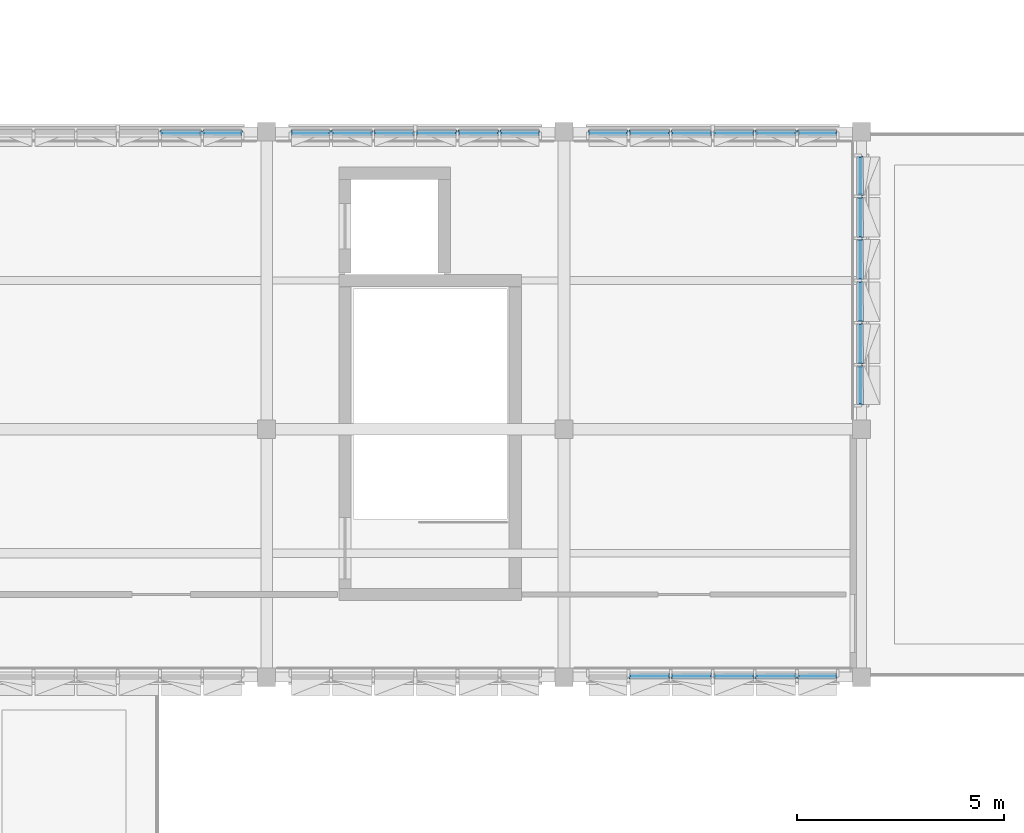
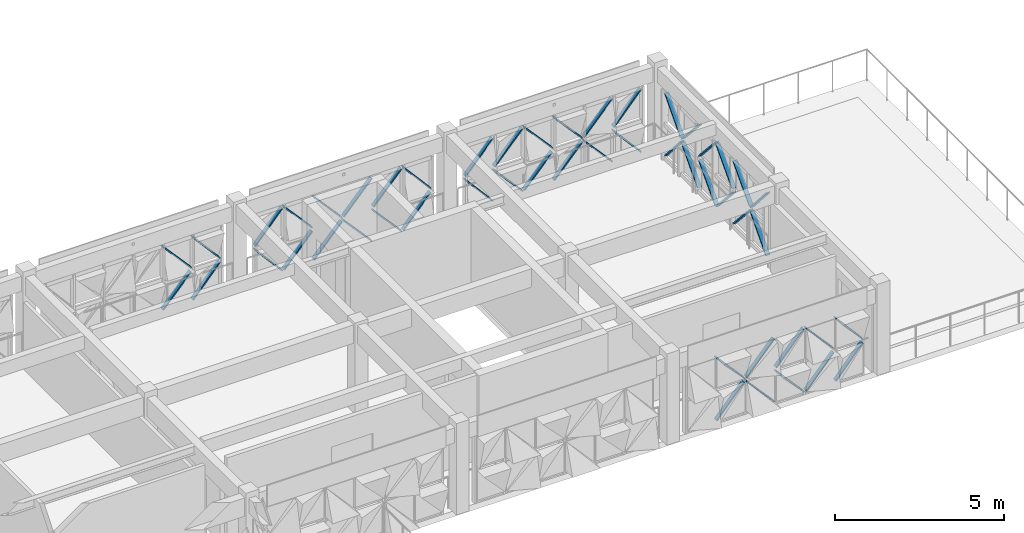
# One storey, part 24 of 35: 50 discrete accessories.
"""IFC4 building model written with IfcOpenShell, lengths in metres."""

from ifc_helpers import new_model, si_unit, direction, frame, origin, origin_2d, place, context, subcontext, project, spatial, rectangle, extrude, material, type_object, element, save


model = new_model("IFC4")

# Units and contexts
model_context = context("Model", 3, precision=1e-05, world=origin(), true_north=direction((0.0, 1.0)))
body_context = subcontext(model_context, "Body", "Model", "MODEL_VIEW")
ifc_project = project(units=[si_unit("LENGTHUNIT", "METRE"), si_unit("AREAUNIT", "SQUARE_METRE"), si_unit("VOLUMEUNIT", "CUBIC_METRE"), si_unit("PLANEANGLEUNIT", "RADIAN"), si_unit("MASSUNIT", "GRAM", prefix="KILO")], contexts=[model_context])

# Site, building, storey
site_placement = place(None, origin())
site = spatial("IfcSite", under=ifc_project, at=site_placement, CompositionType="ELEMENT")
building_placement = place(site_placement, origin())
building = spatial("IfcBuilding", under=site, at=building_placement, Name="Alvorim Cloister Faculty of Sciences", CompositionType="ELEMENT")
storey_placement = place(building_placement, frame((0.0, 0.0, 22.949951171875)))
storey = spatial("IfcBuildingStorey", under=building, at=storey_placement, Name="L06", CompositionType="ELEMENT", Elevation=22.949951171875)

# Discrete accessories
ifc_material = material(Name="Aluminium Alloy 6063-T6", Category="aluminium")
discrete_accessory_type = type_object("IfcDiscreteAccessoryType", Name="ACC-DIAG-BAR", PredefinedType="BRACKET", material=ifc_material)
discrete_accessory_1_placement = place(storey_placement, frame((33.452392578125, 56.37744140625, 0.14013671875), z_axis=(0.66764611748, -0.006997313603, 0.744445900933), x_axis=(0.010479997039, 0.999945083323, 0.0)))
element("IfcDiscreteAccessory", 1, at=discrete_accessory_1_placement, inside=storey, type_object=discrete_accessory_type, Name="Diagonal Cassette Glazing Bracket ACC-02726", PredefinedType="BRACKET", context=body_context, shape_type="SweptSolid", body=[
    extrude(rectangle(XDim=0.139892578125, YDim=0.044921875, at=origin_2d()), origin(), (0.0, 0.0, 1.0), 1.430419921875),
])
discrete_accessory_2_placement = place(storey_placement, frame((33.452392578125, 56.37744140625, 2.41015625), z_axis=(0.667561298321, -0.00699642465, -0.744521969472), x_axis=(0.010479997039, 0.999945083323, 0.0)))
element("IfcDiscreteAccessory", 2, at=discrete_accessory_2_placement, inside=storey, type_object=discrete_accessory_type, Name="Diagonal Cassette Glazing Bracket ACC-02727", PredefinedType="BRACKET", context=body_context, shape_type="SweptSolid", body=[
    extrude(rectangle(XDim=0.139892578125, YDim=0.044921875, at=origin_2d()), origin(), (0.0, 0.0, 1.0), 1.4306640625),
])
discrete_accessory_3_placement = place(storey_placement, frame((34.472412109375, 56.37744140625, 0.14013671875), z_axis=(0.654775475811, -0.007103941389, 0.755790057022), x_axis=(0.010848792579, 0.999941150118, 0.0)))
element("IfcDiscreteAccessory", 3, at=discrete_accessory_3_placement, inside=storey, type_object=discrete_accessory_type, Name="Diagonal Cassette Glazing Bracket ACC-02728", PredefinedType="BRACKET", context=body_context, shape_type="SweptSolid", body=[
    extrude(rectangle(XDim=0.139892578125, YDim=0.044921875, at=origin_2d()), origin(), (0.0, 0.0, 1.0), 1.408935546875),
])
discrete_accessory_4_placement = place(storey_placement, frame((34.472412109375, 56.37744140625, 2.41015625), z_axis=(0.654689737769, -0.00710301118, -0.755864336037), x_axis=(0.010848792579, 0.999941150118, 0.0)))
element("IfcDiscreteAccessory", 4, at=discrete_accessory_4_placement, inside=storey, type_object=discrete_accessory_type, Name="Diagonal Cassette Glazing Bracket ACC-02729", PredefinedType="BRACKET", context=body_context, shape_type="SweptSolid", body=[
    extrude(rectangle(XDim=0.139892578125, YDim=0.044921875, at=origin_2d()), origin(), (0.0, 0.0, 1.0), 1.4091796875),
])
discrete_accessory_5_placement = place(storey_placement, frame((36.60498046875, 56.37744140625, 1.205078125), z_axis=(0.654775475811, -0.007103941389, -0.755790057022), x_axis=(0.010848792579, 0.999941150118, 0.0)))
element("IfcDiscreteAccessory", 5, at=discrete_accessory_5_placement, inside=storey, type_object=discrete_accessory_type, Name="Diagonal Cassette Glazing Bracket ACC-02731", PredefinedType="BRACKET", context=body_context, shape_type="SweptSolid", body=[
    extrude(rectangle(XDim=0.139892578125, YDim=0.044921875, at=origin_2d()), origin(), (0.0, 0.0, 1.0), 1.408935546875),
])
discrete_accessory_6_placement = place(storey_placement, frame((36.60498046875, 56.37744140625, 1.344970703125), z_axis=(0.654689737769, -0.00710301118, 0.755864336037), x_axis=(0.010848792579, 0.999941150118, 0.0)))
element("IfcDiscreteAccessory", 6, at=discrete_accessory_6_placement, inside=storey, type_object=discrete_accessory_type, Name="Diagonal Cassette Glazing Bracket ACC-02732", PredefinedType="BRACKET", context=body_context, shape_type="SweptSolid", body=[
    extrude(rectangle(XDim=0.139892578125, YDim=0.044921875, at=origin_2d()), origin(), (0.0, 0.0, 1.0), 1.4091796875),
])
discrete_accessory_7_placement = place(storey_placement, frame((37.592529296875, 56.37744140625, 0.14013671875), z_axis=(0.66764611748, -0.006997313603, 0.744445900933), x_axis=(0.010479997039, 0.999945083323, 0.0)))
element("IfcDiscreteAccessory", 7, at=discrete_accessory_7_placement, inside=storey, type_object=discrete_accessory_type, Name="Diagonal Cassette Glazing Bracket ACC-02733", PredefinedType="BRACKET", context=body_context, shape_type="SweptSolid", body=[
    extrude(rectangle(XDim=0.139892578125, YDim=0.044921875, at=origin_2d()), origin(), (0.0, 0.0, 1.0), 1.430419921875),
])
discrete_accessory_8_placement = place(storey_placement, frame((37.592529296875, 56.37744140625, 2.41015625), z_axis=(0.667561298321, -0.00699642465, -0.744521969472), x_axis=(0.010479997039, 0.999945083323, 0.0)))
element("IfcDiscreteAccessory", 8, at=discrete_accessory_8_placement, inside=storey, type_object=discrete_accessory_type, Name="Diagonal Cassette Glazing Bracket ACC-02734", PredefinedType="BRACKET", context=body_context, shape_type="SweptSolid", body=[
    extrude(rectangle(XDim=0.139892578125, YDim=0.044921875, at=origin_2d()), origin(), (0.0, 0.0, 1.0), 1.4306640625),
])
for number, where, z_axis, x_axis, name in (
    (9, (38.612548828125, 56.37744140625, 0.14013671875), (0.667551509806, -0.006998110944, 0.744530730191), (0.010482676365, 0.999945055239, 0.0), "Diagonal Cassette Glazing Bracket ACC-02735"),
    (10, (38.612548828125, 56.37744140625, 2.41015625), (0.667466683341, -0.006997221687, -0.744606785839), (0.010482676365, 0.999945055239, 0.0), "Diagonal Cassette Glazing Bracket ACC-02736"),
    (11, (39.632568359375, 56.37744140625, 1.205078125), (0.667551509806, -0.006998110944, -0.744530730191), (0.010482676365, 0.999945055239, 0.0), "Diagonal Cassette Glazing Bracket ACC-02737"),
    (12, (39.632568359375, 56.37744140625, 1.344970703125), (0.667466683341, -0.006997221687, 0.744606785839), (0.010482676365, 0.999945055239, 0.0), "Diagonal Cassette Glazing Bracket ACC-02738"),
    (13, (40.652587890625, 56.37744140625, 1.205078125), (0.667551509806, -0.006998110944, -0.744530730191), (0.010482676365, 0.999945055239, 0.0), "Diagonal Cassette Glazing Bracket ACC-02739"),
    (14, (40.652587890625, 56.37744140625, 1.344970703125), (0.667466683341, -0.006997221687, 0.744606785839), (0.010482676365, 0.999945055239, 0.0), "Diagonal Cassette Glazing Bracket ACC-02740"),
):
    element("IfcDiscreteAccessory", number, at=place(storey_placement, frame(where, z_axis=z_axis, x_axis=x_axis)), inside=storey, type_object=discrete_accessory_type, Name=name, PredefinedType="BRACKET", context=body_context, shape_type="SweptSolid", body=[
        extrude(rectangle(XDim=0.139892578125, YDim=0.044921875, at=origin_2d()), origin(), (0.0, 0.0, 1.0), 1.430419921875),
    ])
discrete_accessory_9_placement = place(storey_placement, frame((41.672607421875, 56.37744140625, 0.14013671875), z_axis=(0.654676476964, -0.007104747368, 0.755875805325), x_axis=(0.010851663811, 0.999941118963, 0.0)))
element("IfcDiscreteAccessory", 15, at=discrete_accessory_9_placement, inside=storey, type_object=discrete_accessory_type, Name="Diagonal Cassette Glazing Bracket ACC-02741", PredefinedType="BRACKET", context=body_context, shape_type="SweptSolid", body=[
    extrude(rectangle(XDim=0.139892578125, YDim=0.044921875, at=origin_2d()), origin(), (0.0, 0.0, 1.0), 1.408935546875),
])
discrete_accessory_10_placement = place(storey_placement, frame((41.672607421875, 56.37744140625, 2.41015625), z_axis=(0.654590732436, -0.007103816842, -0.755950070306), x_axis=(0.010851663811, 0.999941118963, 0.0)))
element("IfcDiscreteAccessory", 16, at=discrete_accessory_10_placement, inside=storey, type_object=discrete_accessory_type, Name="Diagonal Cassette Glazing Bracket ACC-02742", PredefinedType="BRACKET", context=body_context, shape_type="SweptSolid", body=[
    extrude(rectangle(XDim=0.139892578125, YDim=0.044921875, at=origin_2d()), origin(), (0.0, 0.0, 1.0), 1.4091796875),
])
discrete_accessory_11_placement = place(storey_placement, frame((43.804931640625, 56.37744140625, 1.205078125), z_axis=(0.654775475811, -0.007103941389, -0.755790057022), x_axis=(0.010848792579, 0.999941150118, 0.0)))
element("IfcDiscreteAccessory", 17, at=discrete_accessory_11_placement, inside=storey, type_object=discrete_accessory_type, Name="Diagonal Cassette Glazing Bracket ACC-02744", PredefinedType="BRACKET", context=body_context, shape_type="SweptSolid", body=[
    extrude(rectangle(XDim=0.139892578125, YDim=0.044921875, at=origin_2d()), origin(), (0.0, 0.0, 1.0), 1.408935546875),
])
discrete_accessory_12_placement = place(storey_placement, frame((43.804931640625, 56.37744140625, 1.344970703125), z_axis=(0.654689737769, -0.00710301118, 0.755864336037), x_axis=(0.010848792579, 0.999941150118, 0.0)))
element("IfcDiscreteAccessory", 18, at=discrete_accessory_12_placement, inside=storey, type_object=discrete_accessory_type, Name="Diagonal Cassette Glazing Bracket ACC-02745", PredefinedType="BRACKET", context=body_context, shape_type="SweptSolid", body=[
    extrude(rectangle(XDim=0.139892578125, YDim=0.044921875, at=origin_2d()), origin(), (0.0, 0.0, 1.0), 1.4091796875),
])
discrete_accessory_13_placement = place(storey_placement, frame((44.79248046875, 56.37744140625, 1.205078125), z_axis=(0.66764611748, -0.006997313603, -0.744445900933), x_axis=(0.010479997039, 0.999945083323, 0.0)))
element("IfcDiscreteAccessory", 19, at=discrete_accessory_13_placement, inside=storey, type_object=discrete_accessory_type, Name="Diagonal Cassette Glazing Bracket ACC-02746", PredefinedType="BRACKET", context=body_context, shape_type="SweptSolid", body=[
    extrude(rectangle(XDim=0.139892578125, YDim=0.044921875, at=origin_2d()), origin(), (0.0, 0.0, 1.0), 1.430419921875),
])
discrete_accessory_14_placement = place(storey_placement, frame((44.79248046875, 56.37744140625, 1.344970703125), z_axis=(0.667561298321, -0.00699642465, 0.744521969472), x_axis=(0.010479997039, 0.999945083323, 0.0)))
element("IfcDiscreteAccessory", 20, at=discrete_accessory_14_placement, inside=storey, type_object=discrete_accessory_type, Name="Diagonal Cassette Glazing Bracket ACC-02747", PredefinedType="BRACKET", context=body_context, shape_type="SweptSolid", body=[
    extrude(rectangle(XDim=0.139892578125, YDim=0.044921875, at=origin_2d()), origin(), (0.0, 0.0, 1.0), 1.4306640625),
])
discrete_accessory_15_placement = place(storey_placement, frame((45.8125, 56.37744140625, 0.14013671875), z_axis=(0.66764611748, -0.006997313603, 0.744445900933), x_axis=(0.010479997039, 0.999945083323, 0.0)))
element("IfcDiscreteAccessory", 21, at=discrete_accessory_15_placement, inside=storey, type_object=discrete_accessory_type, Name="Diagonal Cassette Glazing Bracket ACC-02748", PredefinedType="BRACKET", context=body_context, shape_type="SweptSolid", body=[
    extrude(rectangle(XDim=0.139892578125, YDim=0.044921875, at=origin_2d()), origin(), (0.0, 0.0, 1.0), 1.430419921875),
])
discrete_accessory_16_placement = place(storey_placement, frame((45.8125, 56.37744140625, 2.41015625), z_axis=(0.667561298321, -0.00699642465, -0.744521969472), x_axis=(0.010479997039, 0.999945083323, 0.0)))
element("IfcDiscreteAccessory", 22, at=discrete_accessory_16_placement, inside=storey, type_object=discrete_accessory_type, Name="Diagonal Cassette Glazing Bracket ACC-02749", PredefinedType="BRACKET", context=body_context, shape_type="SweptSolid", body=[
    extrude(rectangle(XDim=0.139892578125, YDim=0.044921875, at=origin_2d()), origin(), (0.0, 0.0, 1.0), 1.4306640625),
])
discrete_accessory_17_placement = place(storey_placement, frame((46.83251953125, 56.37744140625, 0.14013671875), z_axis=(0.66764611748, -0.006997313603, 0.744445900933), x_axis=(0.010479997039, 0.999945083323, 0.0)))
element("IfcDiscreteAccessory", 23, at=discrete_accessory_17_placement, inside=storey, type_object=discrete_accessory_type, Name="Diagonal Cassette Glazing Bracket ACC-02750", PredefinedType="BRACKET", context=body_context, shape_type="SweptSolid", body=[
    extrude(rectangle(XDim=0.139892578125, YDim=0.044921875, at=origin_2d()), origin(), (0.0, 0.0, 1.0), 1.430419921875),
])
discrete_accessory_18_placement = place(storey_placement, frame((46.83251953125, 56.37744140625, 2.41015625), z_axis=(0.667561298321, -0.00699642465, -0.744521969472), x_axis=(0.010479997039, 0.999945083323, 0.0)))
element("IfcDiscreteAccessory", 24, at=discrete_accessory_18_placement, inside=storey, type_object=discrete_accessory_type, Name="Diagonal Cassette Glazing Bracket ACC-02751", PredefinedType="BRACKET", context=body_context, shape_type="SweptSolid", body=[
    extrude(rectangle(XDim=0.139892578125, YDim=0.044921875, at=origin_2d()), origin(), (0.0, 0.0, 1.0), 1.4306640625),
])
discrete_accessory_19_placement = place(storey_placement, frame((47.8525390625, 56.37744140625, 1.205078125), z_axis=(0.66764611748, -0.006997313603, -0.744445900933), x_axis=(0.010479997039, 0.999945083323, 0.0)))
element("IfcDiscreteAccessory", 25, at=discrete_accessory_19_placement, inside=storey, type_object=discrete_accessory_type, Name="Diagonal Cassette Glazing Bracket ACC-02752", PredefinedType="BRACKET", context=body_context, shape_type="SweptSolid", body=[
    extrude(rectangle(XDim=0.139892578125, YDim=0.044921875, at=origin_2d()), origin(), (0.0, 0.0, 1.0), 1.430419921875),
])
discrete_accessory_20_placement = place(storey_placement, frame((47.8525390625, 56.37744140625, 1.344970703125), z_axis=(0.667561298321, -0.00699642465, 0.744521969472), x_axis=(0.010479997039, 0.999945083323, 0.0)))
element("IfcDiscreteAccessory", 26, at=discrete_accessory_20_placement, inside=storey, type_object=discrete_accessory_type, Name="Diagonal Cassette Glazing Bracket ACC-02753", PredefinedType="BRACKET", context=body_context, shape_type="SweptSolid", body=[
    extrude(rectangle(XDim=0.139892578125, YDim=0.044921875, at=origin_2d()), origin(), (0.0, 0.0, 1.0), 1.4306640625),
])
discrete_accessory_21_placement = place(storey_placement, frame((48.87255859375, 56.37744140625, 1.205078125), z_axis=(0.654676476964, -0.007104747368, -0.755875805325), x_axis=(0.010851663811, 0.999941118963, 0.0)))
element("IfcDiscreteAccessory", 27, at=discrete_accessory_21_placement, inside=storey, type_object=discrete_accessory_type, Name="Diagonal Cassette Glazing Bracket ACC-02754", PredefinedType="BRACKET", context=body_context, shape_type="SweptSolid", body=[
    extrude(rectangle(XDim=0.139892578125, YDim=0.044921875, at=origin_2d()), origin(), (0.0, 0.0, 1.0), 1.408935546875),
])
discrete_accessory_22_placement = place(storey_placement, frame((48.87255859375, 56.37744140625, 1.344970703125), z_axis=(0.654590732436, -0.007103816842, 0.755950070306), x_axis=(0.010851663811, 0.999941118963, 0.0)))
element("IfcDiscreteAccessory", 28, at=discrete_accessory_22_placement, inside=storey, type_object=discrete_accessory_type, Name="Diagonal Cassette Glazing Bracket ACC-02755", PredefinedType="BRACKET", context=body_context, shape_type="SweptSolid", body=[
    extrude(rectangle(XDim=0.139892578125, YDim=0.044921875, at=origin_2d()), origin(), (0.0, 0.0, 1.0), 1.4091796875),
])
discrete_accessory_23_placement = place(storey_placement, frame((50.37744140625, 49.804931640625, 0.14013671875), z_axis=(-0.007103941389, 0.654775475811, 0.755790057022), x_axis=(-0.999941150118, -0.010848792579, 0.0)))
element("IfcDiscreteAccessory", 29, at=discrete_accessory_23_placement, inside=storey, type_object=discrete_accessory_type, Name="Diagonal Cassette Glazing Bracket ACC-02757", PredefinedType="BRACKET", context=body_context, shape_type="SweptSolid", body=[
    extrude(rectangle(XDim=0.139892578125, YDim=0.044921875, at=origin_2d()), origin(), (0.0, 0.0, 1.0), 1.408935546875),
])
discrete_accessory_24_placement = place(storey_placement, frame((50.37744140625, 49.804931640625, 2.41015625), z_axis=(-0.00710301118, 0.654689737769, -0.755864336037), x_axis=(-0.999941150118, -0.010848792579, 0.0)))
element("IfcDiscreteAccessory", 30, at=discrete_accessory_24_placement, inside=storey, type_object=discrete_accessory_type, Name="Diagonal Cassette Glazing Bracket ACC-02758", PredefinedType="BRACKET", context=body_context, shape_type="SweptSolid", body=[
    extrude(rectangle(XDim=0.139892578125, YDim=0.044921875, at=origin_2d()), origin(), (0.0, 0.0, 1.0), 1.4091796875),
])
discrete_accessory_25_placement = place(storey_placement, frame((50.37744140625, 50.79248046875, 1.205078125), z_axis=(-0.006997313603, 0.66764611748, -0.744445900933), x_axis=(-0.999945083323, -0.010479997039, 0.0)))
element("IfcDiscreteAccessory", 31, at=discrete_accessory_25_placement, inside=storey, type_object=discrete_accessory_type, Name="Diagonal Cassette Glazing Bracket ACC-02759", PredefinedType="BRACKET", context=body_context, shape_type="SweptSolid", body=[
    extrude(rectangle(XDim=0.139892578125, YDim=0.044921875, at=origin_2d()), origin(), (0.0, 0.0, 1.0), 1.430419921875),
])
discrete_accessory_26_placement = place(storey_placement, frame((50.37744140625, 50.79248046875, 1.344970703125), z_axis=(-0.00699642465, 0.667561298321, 0.744521969472), x_axis=(-0.999945083323, -0.010479997039, 0.0)))
element("IfcDiscreteAccessory", 32, at=discrete_accessory_26_placement, inside=storey, type_object=discrete_accessory_type, Name="Diagonal Cassette Glazing Bracket ACC-02760", PredefinedType="BRACKET", context=body_context, shape_type="SweptSolid", body=[
    extrude(rectangle(XDim=0.139892578125, YDim=0.044921875, at=origin_2d()), origin(), (0.0, 0.0, 1.0), 1.4306640625),
])
discrete_accessory_27_placement = place(storey_placement, frame((50.37744140625, 51.8125, 1.205078125), z_axis=(-0.006997313603, 0.66764611748, -0.744445900933), x_axis=(-0.999945083323, -0.010479997039, 0.0)))
element("IfcDiscreteAccessory", 33, at=discrete_accessory_27_placement, inside=storey, type_object=discrete_accessory_type, Name="Diagonal Cassette Glazing Bracket ACC-02761", PredefinedType="BRACKET", context=body_context, shape_type="SweptSolid", body=[
    extrude(rectangle(XDim=0.139892578125, YDim=0.044921875, at=origin_2d()), origin(), (0.0, 0.0, 1.0), 1.430419921875),
])
discrete_accessory_28_placement = place(storey_placement, frame((50.37744140625, 51.8125, 1.344970703125), z_axis=(-0.00699642465, 0.667561298321, 0.744521969472), x_axis=(-0.999945083323, -0.010479997039, 0.0)))
element("IfcDiscreteAccessory", 34, at=discrete_accessory_28_placement, inside=storey, type_object=discrete_accessory_type, Name="Diagonal Cassette Glazing Bracket ACC-02762", PredefinedType="BRACKET", context=body_context, shape_type="SweptSolid", body=[
    extrude(rectangle(XDim=0.139892578125, YDim=0.044921875, at=origin_2d()), origin(), (0.0, 0.0, 1.0), 1.4306640625),
])
discrete_accessory_29_placement = place(storey_placement, frame((50.37744140625, 52.83251953125, 0.14013671875), z_axis=(-0.006997313603, 0.66764611748, 0.744445900933), x_axis=(-0.999945083323, -0.010479997039, 0.0)))
element("IfcDiscreteAccessory", 35, at=discrete_accessory_29_placement, inside=storey, type_object=discrete_accessory_type, Name="Diagonal Cassette Glazing Bracket ACC-02763", PredefinedType="BRACKET", context=body_context, shape_type="SweptSolid", body=[
    extrude(rectangle(XDim=0.139892578125, YDim=0.044921875, at=origin_2d()), origin(), (0.0, 0.0, 1.0), 1.430419921875),
])
discrete_accessory_30_placement = place(storey_placement, frame((50.37744140625, 52.83251953125, 2.41015625), z_axis=(-0.00699642465, 0.667561298321, -0.744521969472), x_axis=(-0.999945083323, -0.010479997039, 0.0)))
element("IfcDiscreteAccessory", 36, at=discrete_accessory_30_placement, inside=storey, type_object=discrete_accessory_type, Name="Diagonal Cassette Glazing Bracket ACC-02764", PredefinedType="BRACKET", context=body_context, shape_type="SweptSolid", body=[
    extrude(rectangle(XDim=0.139892578125, YDim=0.044921875, at=origin_2d()), origin(), (0.0, 0.0, 1.0), 1.4306640625),
])
discrete_accessory_31_placement = place(storey_placement, frame((50.37744140625, 53.8525390625, 0.14013671875), z_axis=(-0.006997313603, 0.66764611748, 0.744445900933), x_axis=(-0.999945083323, -0.010479997039, 0.0)))
element("IfcDiscreteAccessory", 37, at=discrete_accessory_31_placement, inside=storey, type_object=discrete_accessory_type, Name="Diagonal Cassette Glazing Bracket ACC-02765", PredefinedType="BRACKET", context=body_context, shape_type="SweptSolid", body=[
    extrude(rectangle(XDim=0.139892578125, YDim=0.044921875, at=origin_2d()), origin(), (0.0, 0.0, 1.0), 1.430419921875),
])
discrete_accessory_32_placement = place(storey_placement, frame((50.37744140625, 53.8525390625, 2.41015625), z_axis=(-0.00699642465, 0.667561298321, -0.744521969472), x_axis=(-0.999945083323, -0.010479997039, 0.0)))
element("IfcDiscreteAccessory", 38, at=discrete_accessory_32_placement, inside=storey, type_object=discrete_accessory_type, Name="Diagonal Cassette Glazing Bracket ACC-02766", PredefinedType="BRACKET", context=body_context, shape_type="SweptSolid", body=[
    extrude(rectangle(XDim=0.139892578125, YDim=0.044921875, at=origin_2d()), origin(), (0.0, 0.0, 1.0), 1.4306640625),
])
discrete_accessory_33_placement = place(storey_placement, frame((50.37744140625, 54.87255859375, 1.205078125), z_axis=(-0.007104747368, 0.654676476964, -0.755875805325), x_axis=(-0.999941118963, -0.010851663811, 0.0)))
element("IfcDiscreteAccessory", 39, at=discrete_accessory_33_placement, inside=storey, type_object=discrete_accessory_type, Name="Diagonal Cassette Glazing Bracket ACC-02767", PredefinedType="BRACKET", context=body_context, shape_type="SweptSolid", body=[
    extrude(rectangle(XDim=0.139892578125, YDim=0.044921875, at=origin_2d()), origin(), (0.0, 0.0, 1.0), 1.408935546875),
])
discrete_accessory_34_placement = place(storey_placement, frame((50.37744140625, 54.87255859375, 1.344970703125), z_axis=(-0.007103816842, 0.654590732436, 0.755950070306), x_axis=(-0.999941118963, -0.010851663811, 0.0)))
element("IfcDiscreteAccessory", 40, at=discrete_accessory_34_placement, inside=storey, type_object=discrete_accessory_type, Name="Diagonal Cassette Glazing Bracket ACC-02768", PredefinedType="BRACKET", context=body_context, shape_type="SweptSolid", body=[
    extrude(rectangle(XDim=0.139892578125, YDim=0.044921875, at=origin_2d()), origin(), (0.0, 0.0, 1.0), 1.4091796875),
])
discrete_accessory_35_placement = place(storey_placement, frame((44.79248046875, 43.222412109375, 0.14013671875), z_axis=(0.66764611748, 0.006997313603, 0.744445900933), x_axis=(-0.010479997039, 0.999945083323, 0.0)))
element("IfcDiscreteAccessory", 41, at=discrete_accessory_35_placement, inside=storey, type_object=discrete_accessory_type, Name="Diagonal Cassette Glazing Bracket ACC-02772", PredefinedType="BRACKET", context=body_context, shape_type="SweptSolid", body=[
    extrude(rectangle(XDim=0.139892578125, YDim=0.044921875, at=origin_2d()), origin(), (0.0, 0.0, 1.0), 1.430419921875),
])
discrete_accessory_36_placement = place(storey_placement, frame((44.79248046875, 43.222412109375, 2.41015625), z_axis=(0.667561298321, 0.00699642465, -0.744521969472), x_axis=(-0.010479997039, 0.999945083323, 0.0)))
element("IfcDiscreteAccessory", 42, at=discrete_accessory_36_placement, inside=storey, type_object=discrete_accessory_type, Name="Diagonal Cassette Glazing Bracket ACC-02773", PredefinedType="BRACKET", context=body_context, shape_type="SweptSolid", body=[
    extrude(rectangle(XDim=0.139892578125, YDim=0.044921875, at=origin_2d()), origin(), (0.0, 0.0, 1.0), 1.4306640625),
])
discrete_accessory_37_placement = place(storey_placement, frame((45.8125, 43.222412109375, 1.205078125), z_axis=(0.66764611748, 0.006997313603, -0.744445900933), x_axis=(-0.010479997039, 0.999945083323, 0.0)))
element("IfcDiscreteAccessory", 43, at=discrete_accessory_37_placement, inside=storey, type_object=discrete_accessory_type, Name="Diagonal Cassette Glazing Bracket ACC-02774", PredefinedType="BRACKET", context=body_context, shape_type="SweptSolid", body=[
    extrude(rectangle(XDim=0.139892578125, YDim=0.044921875, at=origin_2d()), origin(), (0.0, 0.0, 1.0), 1.430419921875),
])
discrete_accessory_38_placement = place(storey_placement, frame((45.8125, 43.222412109375, 1.344970703125), z_axis=(0.667561298321, 0.00699642465, 0.744521969472), x_axis=(-0.010479997039, 0.999945083323, 0.0)))
element("IfcDiscreteAccessory", 44, at=discrete_accessory_38_placement, inside=storey, type_object=discrete_accessory_type, Name="Diagonal Cassette Glazing Bracket ACC-02775", PredefinedType="BRACKET", context=body_context, shape_type="SweptSolid", body=[
    extrude(rectangle(XDim=0.139892578125, YDim=0.044921875, at=origin_2d()), origin(), (0.0, 0.0, 1.0), 1.4306640625),
])
discrete_accessory_39_placement = place(storey_placement, frame((46.83251953125, 43.222412109375, 1.205078125), z_axis=(0.66764611748, 0.006997313603, -0.744445900933), x_axis=(-0.010479997039, 0.999945083323, 0.0)))
element("IfcDiscreteAccessory", 45, at=discrete_accessory_39_placement, inside=storey, type_object=discrete_accessory_type, Name="Diagonal Cassette Glazing Bracket ACC-02776", PredefinedType="BRACKET", context=body_context, shape_type="SweptSolid", body=[
    extrude(rectangle(XDim=0.139892578125, YDim=0.044921875, at=origin_2d()), origin(), (0.0, 0.0, 1.0), 1.430419921875),
])
discrete_accessory_40_placement = place(storey_placement, frame((46.83251953125, 43.222412109375, 1.344970703125), z_axis=(0.667561298321, 0.00699642465, 0.744521969472), x_axis=(-0.010479997039, 0.999945083323, 0.0)))
element("IfcDiscreteAccessory", 46, at=discrete_accessory_40_placement, inside=storey, type_object=discrete_accessory_type, Name="Diagonal Cassette Glazing Bracket ACC-02777", PredefinedType="BRACKET", context=body_context, shape_type="SweptSolid", body=[
    extrude(rectangle(XDim=0.139892578125, YDim=0.044921875, at=origin_2d()), origin(), (0.0, 0.0, 1.0), 1.4306640625),
])
discrete_accessory_41_placement = place(storey_placement, frame((47.8525390625, 43.222412109375, 0.14013671875), z_axis=(0.66764611748, 0.006997313603, 0.744445900933), x_axis=(-0.010479997039, 0.999945083323, 0.0)))
element("IfcDiscreteAccessory", 47, at=discrete_accessory_41_placement, inside=storey, type_object=discrete_accessory_type, Name="Diagonal Cassette Glazing Bracket ACC-02778", PredefinedType="BRACKET", context=body_context, shape_type="SweptSolid", body=[
    extrude(rectangle(XDim=0.139892578125, YDim=0.044921875, at=origin_2d()), origin(), (0.0, 0.0, 1.0), 1.430419921875),
])
discrete_accessory_42_placement = place(storey_placement, frame((47.8525390625, 43.222412109375, 2.41015625), z_axis=(0.667561298321, 0.00699642465, -0.744521969472), x_axis=(-0.010479997039, 0.999945083323, 0.0)))
element("IfcDiscreteAccessory", 48, at=discrete_accessory_42_placement, inside=storey, type_object=discrete_accessory_type, Name="Diagonal Cassette Glazing Bracket ACC-02779", PredefinedType="BRACKET", context=body_context, shape_type="SweptSolid", body=[
    extrude(rectangle(XDim=0.139892578125, YDim=0.044921875, at=origin_2d()), origin(), (0.0, 0.0, 1.0), 1.4306640625),
])
discrete_accessory_43_placement = place(storey_placement, frame((48.87255859375, 43.222412109375, 0.14013671875), z_axis=(0.654676476964, 0.007104747368, 0.755875805325), x_axis=(-0.010851663811, 0.999941118963, 0.0)))
element("IfcDiscreteAccessory", 49, at=discrete_accessory_43_placement, inside=storey, type_object=discrete_accessory_type, Name="Diagonal Cassette Glazing Bracket ACC-02780", PredefinedType="BRACKET", context=body_context, shape_type="SweptSolid", body=[
    extrude(rectangle(XDim=0.139892578125, YDim=0.044921875, at=origin_2d()), origin(), (0.0, 0.0, 1.0), 1.408935546875),
])
discrete_accessory_44_placement = place(storey_placement, frame((48.87255859375, 43.222412109375, 2.41015625), z_axis=(0.654590732436, 0.007103816842, -0.755950070306), x_axis=(-0.010851663811, 0.999941118963, 0.0)))
element("IfcDiscreteAccessory", 50, at=discrete_accessory_44_placement, inside=storey, type_object=discrete_accessory_type, Name="Diagonal Cassette Glazing Bracket ACC-02781", PredefinedType="BRACKET", context=body_context, shape_type="SweptSolid", body=[
    extrude(rectangle(XDim=0.139892578125, YDim=0.044921875, at=origin_2d()), origin(), (0.0, 0.0, 1.0), 1.4091796875),
])

save(model, "model.ifc")
